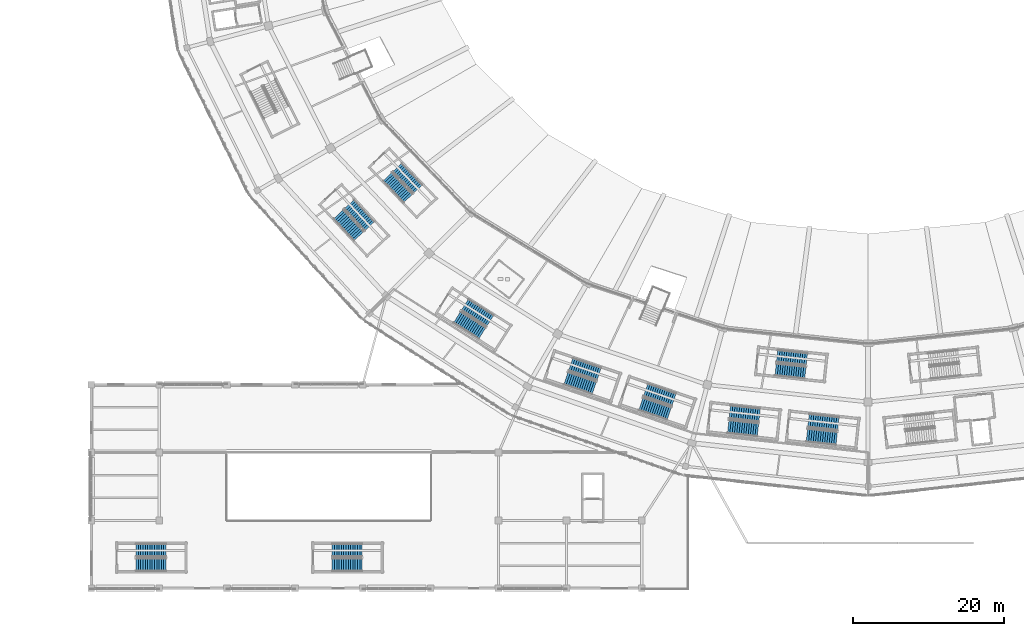
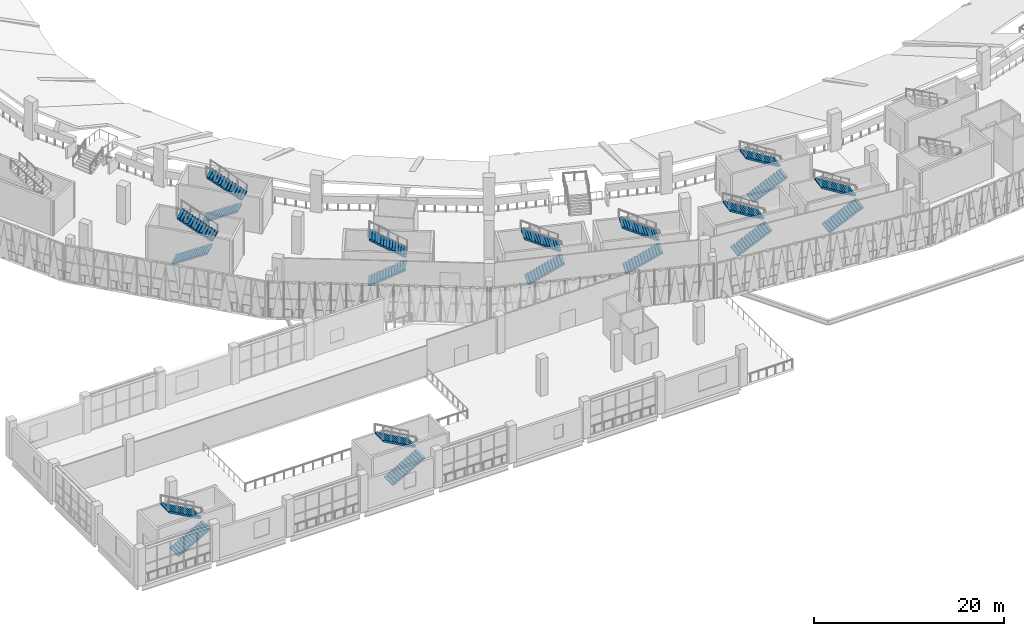
# One storey, part 113 of 183: 20 stair flights, 10 elements without a shape of their own.
"""IFC4 building model written with IfcOpenShell, lengths in metres."""

from ifc_helpers import new_model, si_unit, direction, frame, origin, place, context, subcontext, project, spatial, polyline, outline, extrude, material, type_object, element, aggregate, save


model = new_model("IFC4")

# Units and contexts
model_context = context("Model", 3, precision=1e-05, world=origin(), true_north=direction((0.0, 1.0)))
body_context = subcontext(model_context, "Body", "Model", "MODEL_VIEW")
ifc_project = project(units=[si_unit("LENGTHUNIT", "METRE"), si_unit("AREAUNIT", "SQUARE_METRE"), si_unit("VOLUMEUNIT", "CUBIC_METRE"), si_unit("PLANEANGLEUNIT", "RADIAN"), si_unit("MASSUNIT", "GRAM", prefix="KILO")], contexts=[model_context])

# Site, building, storey
site_placement = place(None, origin())
site = spatial("IfcSite", under=ifc_project, at=site_placement, CompositionType="ELEMENT")
building_placement = place(site_placement, origin())
building = spatial("IfcBuilding", under=site, at=building_placement, Name="Zevraka Park Crest Stadium", CompositionType="ELEMENT")
storey_placement = place(building_placement, frame((0.0, 0.0, 5.39990234375)))
storey = spatial("IfcBuildingStorey", under=building, at=storey_placement, Name="L01", CompositionType="ELEMENT", Elevation=5.39990234375)

# Stair, stair flights
ifc_material_1 = material(Name="Concrete C35/45", Category="concrete")
stair_type_1 = type_object("IfcStairType", Name="STA2", PredefinedType="HALF_TURN_STAIR", material=ifc_material_1)
stair_1_placement = place(storey_placement, origin())
stair_1 = element("IfcStair", 1, at=stair_1_placement, inside=storey, type_object=stair_type_1, Name="L01 Protected Concourse Exit Stair ST15", PredefinedType="HALF_TURN_STAIR")
ifc_material_2 = material(Name="Concrete C35/45", Category="concrete")
stair_flight_type_1 = type_object("IfcStairFlightType", Name="FLA2", PredefinedType="STRAIGHT", material=ifc_material_2)
stair_flight_1_placement = place(storey_placement, frame((41.787353515625, 49.603759765625, 0.0), z_axis=(0.0, 0.0, 1.0), x_axis=(0.680255347227, -0.732975212793, 0.0)))
stair_flight_1 = element("IfcStairFlight", 2, at=stair_flight_1_placement, type_object=stair_flight_type_1, Name="ST15 flight 1", NumberOfRisers=14, NumberOfTreads=13, PredefinedType="STRAIGHT", RiserHeight=0.171428571, TreadLength=0.305, context=body_context, shape_type="SweptSolid", body=[
    extrude(outline(polyline([(0.0, 0.0), (0.0, 0.17138671875), (0.304931640625, 0.17138671875), (0.304931640625, 0.3427734375), (0.610107421875, 0.3427734375), (0.610107421875, 0.514404296875), (0.9150390625, 0.514404296875), (0.9150390625, 0.685791015625), (1.219970703125, 0.685791015625), (1.219970703125, 0.857177734375), (1.52490234375, 0.857177734375), (1.52490234375, 1.028564453125), (1.830078125, 1.028564453125), (1.830078125, 1.199951171875), (2.135009765625, 1.199951171875), (2.135009765625, 1.371337890625), (2.43994140625, 1.371337890625), (2.43994140625, 1.54296875), (2.7451171875, 1.54296875), (2.7451171875, 1.71435546875), (3.050048828125, 1.71435546875), (3.050048828125, 1.8857421875), (3.35498046875, 1.8857421875), (3.35498046875, 2.05712890625), (3.659912109375, 2.05712890625), (3.659912109375, 2.228515625), (3.965087890625, 2.228515625), (3.965087890625, 2.39990234375), (3.965087890625, 2.045166015625), (0.326416015625, 0.0), (0.0, 0.0)])), frame((0.0, 0.89990234375, 0.0), z_axis=(0.0, -1.0, 0.0), x_axis=(1.0, 0.0, 0.0)), (0.0, 0.0, 1.0), 1.800048828125),
])
stair_flight_2_placement = place(storey_placement, frame((45.921142578125, 48.03076171875, 2.400146484375), z_axis=(0.0, 0.0, 1.0), x_axis=(-0.680255347227, 0.732975212793, 0.0)))
stair_flight_2 = element("IfcStairFlight", 3, at=stair_flight_2_placement, type_object=stair_flight_type_1, Name="ST15 flight 2", NumberOfRisers=14, NumberOfTreads=13, PredefinedType="STRAIGHT", RiserHeight=0.171428571, TreadLength=0.305, context=body_context, shape_type="SweptSolid", body=[
    extrude(outline(polyline([(0.0, 0.0), (0.0, 0.17138671875), (0.304931640625, 0.17138671875), (0.304931640625, 0.3427734375), (0.610107421875, 0.3427734375), (0.610107421875, 0.514404296875), (0.9150390625, 0.514404296875), (0.9150390625, 0.685791015625), (1.219970703125, 0.685791015625), (1.219970703125, 0.857177734375), (1.52490234375, 0.857177734375), (1.52490234375, 1.028564453125), (1.830078125, 1.028564453125), (1.830078125, 1.199951171875), (2.135009765625, 1.199951171875), (2.135009765625, 1.371337890625), (2.43994140625, 1.371337890625), (2.43994140625, 1.54296875), (2.7451171875, 1.54296875), (2.7451171875, 1.71435546875), (3.050048828125, 1.71435546875), (3.050048828125, 1.8857421875), (3.35498046875, 1.8857421875), (3.35498046875, 2.05712890625), (3.659912109375, 2.05712890625), (3.659912109375, 2.228515625), (3.965087890625, 2.228515625), (3.965087890625, 2.39990234375), (3.965087890625, 2.045166015625), (0.326416015625, 0.0), (0.0, 0.0)])), frame((0.0, 0.89990234375, 0.0), z_axis=(0.0, -1.0, 0.0), x_axis=(1.0, 0.0, 0.0)), (0.0, 0.0, 1.0), 1.800048828125),
])
aggregate(stair_1, [stair_flight_1, stair_flight_2])

stair_2_placement = place(storey_placement, origin())
stair_2 = element("IfcStair", 4, at=stair_2_placement, inside=storey, type_object=stair_type_1, Name="L01 Protected Concourse Exit Stair ST16", PredefinedType="HALF_TURN_STAIR")
stair_flight_3_placement = place(storey_placement, frame((57.4970703125, 35.939697265625, 0.0), z_axis=(0.0, 0.0, 1.0), x_axis=(0.844397122829, -0.535717741874, 0.0)))
stair_flight_3 = element("IfcStairFlight", 5, at=stair_flight_3_placement, type_object=stair_flight_type_1, Name="ST16 flight 1", NumberOfRisers=14, NumberOfTreads=13, PredefinedType="STRAIGHT", RiserHeight=0.171428571, TreadLength=0.305, context=body_context, shape_type="SweptSolid", body=[
    extrude(outline(polyline([(0.0, 0.0), (0.0, 0.17138671875), (0.304931640625, 0.17138671875), (0.304931640625, 0.3427734375), (0.610107421875, 0.3427734375), (0.610107421875, 0.514404296875), (0.9150390625, 0.514404296875), (0.9150390625, 0.685791015625), (1.219970703125, 0.685791015625), (1.219970703125, 0.857177734375), (1.52490234375, 0.857177734375), (1.52490234375, 1.028564453125), (1.830078125, 1.028564453125), (1.830078125, 1.199951171875), (2.135009765625, 1.199951171875), (2.135009765625, 1.371337890625), (2.43994140625, 1.371337890625), (2.43994140625, 1.54296875), (2.7451171875, 1.54296875), (2.7451171875, 1.71435546875), (3.050048828125, 1.71435546875), (3.050048828125, 1.8857421875), (3.35498046875, 1.8857421875), (3.35498046875, 2.05712890625), (3.659912109375, 2.05712890625), (3.659912109375, 2.228515625), (3.965087890625, 2.228515625), (3.965087890625, 2.39990234375), (3.965087890625, 2.045166015625), (0.326416015625, 0.0), (0.0, 0.0)])), frame((0.0, 0.89990234375, 0.0), z_axis=(0.0, -1.0, 0.0), x_axis=(1.0, 0.0, 0.0)), (0.0, 0.0, 1.0), 1.800048828125),
])
stair_flight_4_placement = place(storey_placement, frame((61.895263671875, 35.470458984375, 2.400146484375), z_axis=(0.0, 0.0, 1.0), x_axis=(-0.844397122829, 0.535717741874, 0.0)))
stair_flight_4 = element("IfcStairFlight", 6, at=stair_flight_4_placement, type_object=stair_flight_type_1, Name="ST16 flight 2", NumberOfRisers=14, NumberOfTreads=13, PredefinedType="STRAIGHT", RiserHeight=0.171428571, TreadLength=0.305, context=body_context, shape_type="SweptSolid", body=[
    extrude(outline(polyline([(0.0, 0.0), (0.0, 0.17138671875), (0.304931640625, 0.17138671875), (0.304931640625, 0.3427734375), (0.610107421875, 0.3427734375), (0.610107421875, 0.514404296875), (0.9150390625, 0.514404296875), (0.9150390625, 0.685791015625), (1.219970703125, 0.685791015625), (1.219970703125, 0.857177734375), (1.52490234375, 0.857177734375), (1.52490234375, 1.028564453125), (1.830078125, 1.028564453125), (1.830078125, 1.199951171875), (2.135009765625, 1.199951171875), (2.135009765625, 1.371337890625), (2.43994140625, 1.371337890625), (2.43994140625, 1.54296875), (2.7451171875, 1.54296875), (2.7451171875, 1.71435546875), (3.050048828125, 1.71435546875), (3.050048828125, 1.8857421875), (3.35498046875, 1.8857421875), (3.35498046875, 2.05712890625), (3.659912109375, 2.05712890625), (3.659912109375, 2.228515625), (3.965087890625, 2.228515625), (3.965087890625, 2.39990234375), (3.965087890625, 2.045166015625), (0.326416015625, 0.0), (0.0, 0.0)])), frame((0.0, 0.89990234375, 0.0), z_axis=(0.0, -1.0, 0.0), x_axis=(1.0, 0.0, 0.0)), (0.0, 0.0, 1.0), 1.800048828125),
])
aggregate(stair_2, [stair_flight_3, stair_flight_4])

stair_3_placement = place(storey_placement, origin())
stair_3 = element("IfcStair", 7, at=stair_3_placement, inside=storey, type_object=stair_type_1, Name="L01 Protected Concourse Exit Stair ST17", PredefinedType="HALF_TURN_STAIR")
stair_flight_5_placement = place(storey_placement, frame((71.942626953125, 27.845458984375, 0.0), z_axis=(0.0, 0.0, 1.0), x_axis=(0.946066135515, -0.323973559463, 0.0)))
stair_flight_5 = element("IfcStairFlight", 8, at=stair_flight_5_placement, type_object=stair_flight_type_1, Name="ST17 flight 1", NumberOfRisers=14, NumberOfTreads=13, PredefinedType="STRAIGHT", RiserHeight=0.171428571, TreadLength=0.305, context=body_context, shape_type="SweptSolid", body=[
    extrude(outline(polyline([(0.0, 0.0), (0.0, 0.17138671875), (0.304931640625, 0.17138671875), (0.304931640625, 0.3427734375), (0.610107421875, 0.3427734375), (0.610107421875, 0.514404296875), (0.9150390625, 0.514404296875), (0.9150390625, 0.685791015625), (1.219970703125, 0.685791015625), (1.219970703125, 0.857177734375), (1.52490234375, 0.857177734375), (1.52490234375, 1.028564453125), (1.830078125, 1.028564453125), (1.830078125, 1.199951171875), (2.135009765625, 1.199951171875), (2.135009765625, 1.371337890625), (2.43994140625, 1.371337890625), (2.43994140625, 1.54296875), (2.7451171875, 1.54296875), (2.7451171875, 1.71435546875), (3.050048828125, 1.71435546875), (3.050048828125, 1.8857421875), (3.35498046875, 1.8857421875), (3.35498046875, 2.05712890625), (3.659912109375, 2.05712890625), (3.659912109375, 2.228515625), (3.965087890625, 2.228515625), (3.965087890625, 2.39990234375), (3.965087890625, 2.045166015625), (0.326416015625, 0.0), (0.0, 0.0)])), frame((0.0, 0.89990234375, 0.0), z_axis=(0.0, -1.0, 0.0), x_axis=(1.0, 0.0, 0.0)), (0.0, 0.0, 1.0), 1.800048828125),
])
stair_flight_6_placement = place(storey_placement, frame((76.328857421875, 28.415283203125, 2.400146484375), z_axis=(0.0, 0.0, 1.0), x_axis=(-0.946066135515, 0.323973559463, 0.0)))
stair_flight_6 = element("IfcStairFlight", 9, at=stair_flight_6_placement, type_object=stair_flight_type_1, Name="ST17 flight 2", NumberOfRisers=14, NumberOfTreads=13, PredefinedType="STRAIGHT", RiserHeight=0.171428571, TreadLength=0.305, context=body_context, shape_type="SweptSolid", body=[
    extrude(outline(polyline([(0.0, 0.0), (0.0, 0.17138671875), (0.304931640625, 0.17138671875), (0.304931640625, 0.3427734375), (0.610107421875, 0.3427734375), (0.610107421875, 0.514404296875), (0.9150390625, 0.514404296875), (0.9150390625, 0.685791015625), (1.219970703125, 0.685791015625), (1.219970703125, 0.857177734375), (1.52490234375, 0.857177734375), (1.52490234375, 1.028564453125), (1.830078125, 1.028564453125), (1.830078125, 1.199951171875), (2.135009765625, 1.199951171875), (2.135009765625, 1.371337890625), (2.43994140625, 1.371337890625), (2.43994140625, 1.54296875), (2.7451171875, 1.54296875), (2.7451171875, 1.71435546875), (3.050048828125, 1.71435546875), (3.050048828125, 1.8857421875), (3.35498046875, 1.8857421875), (3.35498046875, 2.05712890625), (3.659912109375, 2.05712890625), (3.659912109375, 2.228515625), (3.965087890625, 2.228515625), (3.965087890625, 2.39990234375), (3.965087890625, 2.045166015625), (0.326416015625, 0.0), (0.0, 0.0)])), frame((0.0, 0.89990234375, 0.0), z_axis=(0.0, -1.0, 0.0), x_axis=(1.0, 0.0, 0.0)), (0.0, 0.0, 1.0), 1.800048828125),
])
aggregate(stair_3, [stair_flight_5, stair_flight_6])

stair_4_placement = place(storey_placement, origin())
stair_4 = element("IfcStair", 10, at=stair_4_placement, inside=storey, type_object=stair_type_1, Name="L01 Protected Concourse Exit Stair ST18", PredefinedType="HALF_TURN_STAIR")
stair_flight_7_placement = place(storey_placement, frame((93.454833984375, 21.43310546875, 0.0), z_axis=(0.0, 0.0, 1.0), x_axis=(0.994127567381, -0.108214508149, 0.0)))
stair_flight_7 = element("IfcStairFlight", 11, at=stair_flight_7_placement, type_object=stair_flight_type_1, Name="ST18 flight 1", NumberOfRisers=14, NumberOfTreads=13, PredefinedType="STRAIGHT", RiserHeight=0.171428571, TreadLength=0.305, context=body_context, shape_type="SweptSolid", body=[
    extrude(outline(polyline([(0.0, 0.0), (0.0, 0.17138671875), (0.304931640625, 0.17138671875), (0.304931640625, 0.3427734375), (0.610107421875, 0.3427734375), (0.610107421875, 0.514404296875), (0.9150390625, 0.514404296875), (0.9150390625, 0.685791015625), (1.219970703125, 0.685791015625), (1.219970703125, 0.857177734375), (1.52490234375, 0.857177734375), (1.52490234375, 1.028564453125), (1.830078125, 1.028564453125), (1.830078125, 1.199951171875), (2.135009765625, 1.199951171875), (2.135009765625, 1.371337890625), (2.43994140625, 1.371337890625), (2.43994140625, 1.54296875), (2.7451171875, 1.54296875), (2.7451171875, 1.71435546875), (3.050048828125, 1.71435546875), (3.050048828125, 1.8857421875), (3.35498046875, 1.8857421875), (3.35498046875, 2.05712890625), (3.659912109375, 2.05712890625), (3.659912109375, 2.228515625), (3.965087890625, 2.228515625), (3.965087890625, 2.39990234375), (3.965087890625, 2.045166015625), (0.326416015625, 0.0), (0.0, 0.0)])), frame((0.0, 0.89990234375, 0.0), z_axis=(0.0, -1.0, 0.0), x_axis=(1.0, 0.0, 0.0)), (0.0, 0.0, 1.0), 1.800048828125),
])
stair_flight_8_placement = place(storey_placement, frame((97.608642578125, 22.95263671875, 2.400146484375), z_axis=(0.0, 0.0, 1.0), x_axis=(-0.994127567381, 0.108214508149, 0.0)))
stair_flight_8 = element("IfcStairFlight", 12, at=stair_flight_8_placement, type_object=stair_flight_type_1, Name="ST18 flight 2", NumberOfRisers=14, NumberOfTreads=13, PredefinedType="STRAIGHT", RiserHeight=0.171428571, TreadLength=0.305, context=body_context, shape_type="SweptSolid", body=[
    extrude(outline(polyline([(0.0, 0.0), (0.0, 0.17138671875), (0.304931640625, 0.17138671875), (0.304931640625, 0.3427734375), (0.610107421875, 0.3427734375), (0.610107421875, 0.514404296875), (0.9150390625, 0.514404296875), (0.9150390625, 0.685791015625), (1.219970703125, 0.685791015625), (1.219970703125, 0.857177734375), (1.52490234375, 0.857177734375), (1.52490234375, 1.028564453125), (1.830078125, 1.028564453125), (1.830078125, 1.199951171875), (2.135009765625, 1.199951171875), (2.135009765625, 1.371337890625), (2.43994140625, 1.371337890625), (2.43994140625, 1.54296875), (2.7451171875, 1.54296875), (2.7451171875, 1.71435546875), (3.050048828125, 1.71435546875), (3.050048828125, 1.8857421875), (3.35498046875, 1.8857421875), (3.35498046875, 2.05712890625), (3.659912109375, 2.05712890625), (3.659912109375, 2.228515625), (3.965087890625, 2.228515625), (3.965087890625, 2.39990234375), (3.965087890625, 2.045166015625), (0.326416015625, 0.0), (0.0, 0.0)])), frame((0.0, 0.89990234375, 0.0), z_axis=(0.0, -1.0, 0.0), x_axis=(1.0, 0.0, 0.0)), (0.0, 0.0, 1.0), 1.800048828125),
])
aggregate(stair_4, [stair_flight_7, stair_flight_8])

stair_5_placement = place(storey_placement, origin())
stair_5 = element("IfcStair", 13, at=stair_5_placement, inside=storey, type_object=stair_type_1, Name="L01 Protected Paired Concourse Exit Stair ST29", PredefinedType="HALF_TURN_STAIR")
stair_flight_9_placement = place(storey_placement, frame((81.876708984375, 24.444580078125, 0.0), z_axis=(0.0, 0.0, 1.0), x_axis=(0.946066135515, -0.323973559463, 0.0)))
stair_flight_9 = element("IfcStairFlight", 14, at=stair_flight_9_placement, type_object=stair_flight_type_1, Name="ST29 flight 1", NumberOfRisers=14, NumberOfTreads=13, PredefinedType="STRAIGHT", RiserHeight=0.171428571, TreadLength=0.305, context=body_context, shape_type="SweptSolid", body=[
    extrude(outline(polyline([(0.0, 0.0), (0.0, 0.17138671875), (0.304931640625, 0.17138671875), (0.304931640625, 0.3427734375), (0.610107421875, 0.3427734375), (0.610107421875, 0.514404296875), (0.9150390625, 0.514404296875), (0.9150390625, 0.685791015625), (1.219970703125, 0.685791015625), (1.219970703125, 0.857177734375), (1.52490234375, 0.857177734375), (1.52490234375, 1.028564453125), (1.830078125, 1.028564453125), (1.830078125, 1.199951171875), (2.135009765625, 1.199951171875), (2.135009765625, 1.371337890625), (2.43994140625, 1.371337890625), (2.43994140625, 1.54296875), (2.7451171875, 1.54296875), (2.7451171875, 1.71435546875), (3.050048828125, 1.71435546875), (3.050048828125, 1.8857421875), (3.35498046875, 1.8857421875), (3.35498046875, 2.05712890625), (3.659912109375, 2.05712890625), (3.659912109375, 2.228515625), (3.965087890625, 2.228515625), (3.965087890625, 2.39990234375), (3.965087890625, 2.045166015625), (0.326416015625, 0.0), (0.0, 0.0)])), frame((0.0, 0.89990234375, 0.0), z_axis=(0.0, -1.0, 0.0), x_axis=(1.0, 0.0, 0.0)), (0.0, 0.0, 1.0), 1.800048828125),
])
stair_flight_10_placement = place(storey_placement, frame((86.262939453125, 25.01416015625, 2.400146484375), z_axis=(0.0, 0.0, 1.0), x_axis=(-0.946066135515, 0.323973559463, 0.0)))
stair_flight_10 = element("IfcStairFlight", 15, at=stair_flight_10_placement, type_object=stair_flight_type_1, Name="ST29 flight 2", NumberOfRisers=14, NumberOfTreads=13, PredefinedType="STRAIGHT", RiserHeight=0.171428571, TreadLength=0.305, context=body_context, shape_type="SweptSolid", body=[
    extrude(outline(polyline([(0.0, 0.0), (0.0, 0.17138671875), (0.304931640625, 0.17138671875), (0.304931640625, 0.3427734375), (0.610107421875, 0.3427734375), (0.610107421875, 0.514404296875), (0.9150390625, 0.514404296875), (0.9150390625, 0.685791015625), (1.219970703125, 0.685791015625), (1.219970703125, 0.857177734375), (1.52490234375, 0.857177734375), (1.52490234375, 1.028564453125), (1.830078125, 1.028564453125), (1.830078125, 1.199951171875), (2.135009765625, 1.199951171875), (2.135009765625, 1.371337890625), (2.43994140625, 1.371337890625), (2.43994140625, 1.54296875), (2.7451171875, 1.54296875), (2.7451171875, 1.71435546875), (3.050048828125, 1.71435546875), (3.050048828125, 1.8857421875), (3.35498046875, 1.8857421875), (3.35498046875, 2.05712890625), (3.659912109375, 2.05712890625), (3.659912109375, 2.228515625), (3.965087890625, 2.228515625), (3.965087890625, 2.39990234375), (3.965087890625, 2.045166015625), (0.326416015625, 0.0), (0.0, 0.0)])), frame((0.0, 0.89990234375, 0.0), z_axis=(0.0, -1.0, 0.0), x_axis=(1.0, 0.0, 0.0)), (0.0, 0.0, 1.0), 1.800048828125),
])
aggregate(stair_5, [stair_flight_9, stair_flight_10])

stair_6_placement = place(storey_placement, origin())
stair_6 = element("IfcStair", 16, at=stair_6_placement, inside=storey, type_object=stair_type_1, Name="L01 Protected Paired Concourse Exit Stair ST30", PredefinedType="HALF_TURN_STAIR")
stair_flight_11_placement = place(storey_placement, frame((103.892822265625, 20.297119140625, 0.0), z_axis=(0.0, 0.0, 1.0), x_axis=(0.994127567381, -0.108214508149, 0.0)))
stair_flight_11 = element("IfcStairFlight", 17, at=stair_flight_11_placement, type_object=stair_flight_type_1, Name="ST30 flight 1", NumberOfRisers=14, NumberOfTreads=13, PredefinedType="STRAIGHT", RiserHeight=0.171428571, TreadLength=0.305, context=body_context, shape_type="SweptSolid", body=[
    extrude(outline(polyline([(0.0, 0.0), (0.0, 0.17138671875), (0.304931640625, 0.17138671875), (0.304931640625, 0.3427734375), (0.610107421875, 0.3427734375), (0.610107421875, 0.514404296875), (0.9150390625, 0.514404296875), (0.9150390625, 0.685791015625), (1.219970703125, 0.685791015625), (1.219970703125, 0.857177734375), (1.52490234375, 0.857177734375), (1.52490234375, 1.028564453125), (1.830078125, 1.028564453125), (1.830078125, 1.199951171875), (2.135009765625, 1.199951171875), (2.135009765625, 1.371337890625), (2.43994140625, 1.371337890625), (2.43994140625, 1.54296875), (2.7451171875, 1.54296875), (2.7451171875, 1.71435546875), (3.050048828125, 1.71435546875), (3.050048828125, 1.8857421875), (3.35498046875, 1.8857421875), (3.35498046875, 2.05712890625), (3.659912109375, 2.05712890625), (3.659912109375, 2.228515625), (3.965087890625, 2.228515625), (3.965087890625, 2.39990234375), (3.965087890625, 2.045166015625), (0.326416015625, 0.0), (0.0, 0.0)])), frame((0.0, 0.89990234375, 0.0), z_axis=(0.0, -1.0, 0.0), x_axis=(1.0, 0.0, 0.0)), (0.0, 0.0, 1.0), 1.800048828125),
])
stair_flight_12_placement = place(storey_placement, frame((108.046630859375, 21.816650390625, 2.400146484375), z_axis=(0.0, 0.0, 1.0), x_axis=(-0.994127567381, 0.108214508149, 0.0)))
stair_flight_12 = element("IfcStairFlight", 18, at=stair_flight_12_placement, type_object=stair_flight_type_1, Name="ST30 flight 2", NumberOfRisers=14, NumberOfTreads=13, PredefinedType="STRAIGHT", RiserHeight=0.171428571, TreadLength=0.305, context=body_context, shape_type="SweptSolid", body=[
    extrude(outline(polyline([(0.0, 0.0), (0.0, 0.17138671875), (0.304931640625, 0.17138671875), (0.304931640625, 0.3427734375), (0.610107421875, 0.3427734375), (0.610107421875, 0.514404296875), (0.9150390625, 0.514404296875), (0.9150390625, 0.685791015625), (1.219970703125, 0.685791015625), (1.219970703125, 0.857177734375), (1.52490234375, 0.857177734375), (1.52490234375, 1.028564453125), (1.830078125, 1.028564453125), (1.830078125, 1.199951171875), (2.135009765625, 1.199951171875), (2.135009765625, 1.371337890625), (2.43994140625, 1.371337890625), (2.43994140625, 1.54296875), (2.7451171875, 1.54296875), (2.7451171875, 1.71435546875), (3.050048828125, 1.71435546875), (3.050048828125, 1.8857421875), (3.35498046875, 1.8857421875), (3.35498046875, 2.05712890625), (3.659912109375, 2.05712890625), (3.659912109375, 2.228515625), (3.965087890625, 2.228515625), (3.965087890625, 2.39990234375), (3.965087890625, 2.045166015625), (0.326416015625, 0.0), (0.0, 0.0)])), frame((0.0, 0.89990234375, 0.0), z_axis=(0.0, -1.0, 0.0), x_axis=(1.0, 0.0, 0.0)), (0.0, 0.0, 1.0), 1.800048828125),
])
aggregate(stair_6, [stair_flight_11, stair_flight_12])

ifc_material_3 = material(Name="Concrete C35/45", Category="concrete")
stair_type_2 = type_object("IfcStairType", Name="STB2", PredefinedType="HALF_TURN_STAIR", material=ifc_material_3)
stair_7_placement = place(storey_placement, origin())
stair_7 = element("IfcStair", 19, at=stair_7_placement, inside=storey, type_object=stair_type_2, Name="L01 Protected Concourse Relief Stair ST40", PredefinedType="HALF_TURN_STAIR")
ifc_material_4 = material(Name="Concrete C35/45", Category="concrete")
stair_flight_type_2 = type_object("IfcStairFlightType", Name="FLB2", PredefinedType="STRAIGHT", material=ifc_material_4)
stair_flight_13_placement = place(storey_placement, frame((48.282958984375, 54.58056640625, 0.0), z_axis=(0.0, 0.0, 1.0), x_axis=(0.68832672281, -0.725400801396, 0.0)))
stair_flight_13 = element("IfcStairFlight", 20, at=stair_flight_13_placement, type_object=stair_flight_type_2, Name="ST40 flight 1", NumberOfRisers=14, NumberOfTreads=13, PredefinedType="STRAIGHT", RiserHeight=0.171428571, TreadLength=0.305, context=body_context, shape_type="SweptSolid", body=[
    extrude(outline(polyline([(0.0, 0.0), (0.0, 0.17138671875), (0.304931640625, 0.17138671875), (0.304931640625, 0.3427734375), (0.610107421875, 0.3427734375), (0.610107421875, 0.514404296875), (0.9150390625, 0.514404296875), (0.9150390625, 0.685791015625), (1.219970703125, 0.685791015625), (1.219970703125, 0.857177734375), (1.52490234375, 0.857177734375), (1.52490234375, 1.028564453125), (1.830078125, 1.028564453125), (1.830078125, 1.199951171875), (2.135009765625, 1.199951171875), (2.135009765625, 1.371337890625), (2.43994140625, 1.371337890625), (2.43994140625, 1.54296875), (2.7451171875, 1.54296875), (2.7451171875, 1.71435546875), (3.050048828125, 1.71435546875), (3.050048828125, 1.8857421875), (3.35498046875, 1.8857421875), (3.35498046875, 2.05712890625), (3.659912109375, 2.05712890625), (3.659912109375, 2.228515625), (3.965087890625, 2.228515625), (3.965087890625, 2.39990234375), (3.965087890625, 2.045166015625), (0.326416015625, 0.0), (0.0, 0.0)])), frame((0.0, 0.824951171875, 0.0), z_axis=(0.0, -1.0, 0.0), x_axis=(1.0, 0.0, 0.0)), (0.0, 0.0, 1.0), 1.64990234375),
])
stair_flight_14_placement = place(storey_placement, frame((52.324951171875, 52.9501953125, 2.400146484375), z_axis=(0.0, 0.0, 1.0), x_axis=(-0.68832672281, 0.725400801396, 0.0)))
stair_flight_14 = element("IfcStairFlight", 21, at=stair_flight_14_placement, type_object=stair_flight_type_2, Name="ST40 flight 2", NumberOfRisers=14, NumberOfTreads=13, PredefinedType="STRAIGHT", RiserHeight=0.171428571, TreadLength=0.305, context=body_context, shape_type="SweptSolid", body=[
    extrude(outline(polyline([(0.0, 0.0), (0.0, 0.17138671875), (0.304931640625, 0.17138671875), (0.304931640625, 0.3427734375), (0.610107421875, 0.3427734375), (0.610107421875, 0.514404296875), (0.9150390625, 0.514404296875), (0.9150390625, 0.685791015625), (1.219970703125, 0.685791015625), (1.219970703125, 0.857177734375), (1.52490234375, 0.857177734375), (1.52490234375, 1.028564453125), (1.830078125, 1.028564453125), (1.830078125, 1.199951171875), (2.135009765625, 1.199951171875), (2.135009765625, 1.371337890625), (2.43994140625, 1.371337890625), (2.43994140625, 1.54296875), (2.7451171875, 1.54296875), (2.7451171875, 1.71435546875), (3.050048828125, 1.71435546875), (3.050048828125, 1.8857421875), (3.35498046875, 1.8857421875), (3.35498046875, 2.05712890625), (3.659912109375, 2.05712890625), (3.659912109375, 2.228515625), (3.965087890625, 2.228515625), (3.965087890625, 2.39990234375), (3.965087890625, 2.045166015625), (0.326416015625, 0.0), (0.0, 0.0)])), frame((0.0, 0.824951171875, 0.0), z_axis=(0.0, -1.0, 0.0), x_axis=(1.0, 0.0, 0.0)), (0.0, 0.0, 1.0), 1.64990234375),
])
aggregate(stair_7, [stair_flight_13, stair_flight_14])

stair_8_placement = place(storey_placement, origin())
stair_8 = element("IfcStair", 22, at=stair_8_placement, inside=storey, type_object=stair_type_2, Name="L01 Protected Concourse Relief Stair ST41", PredefinedType="HALF_TURN_STAIR")
stair_flight_15_placement = place(storey_placement, frame((99.74462890625, 28.994140625, 0.0), z_axis=(0.0, 0.0, 1.0), x_axis=(0.994381814459, -0.105852761294, 0.0)))
stair_flight_15 = element("IfcStairFlight", 23, at=stair_flight_15_placement, type_object=stair_flight_type_2, Name="ST41 flight 1", NumberOfRisers=14, NumberOfTreads=13, PredefinedType="STRAIGHT", RiserHeight=0.171428571, TreadLength=0.305, context=body_context, shape_type="SweptSolid", body=[
    extrude(outline(polyline([(0.0, 0.0), (0.0, 0.17138671875), (0.304931640625, 0.17138671875), (0.304931640625, 0.3427734375), (0.610107421875, 0.3427734375), (0.610107421875, 0.514404296875), (0.9150390625, 0.514404296875), (0.9150390625, 0.685791015625), (1.219970703125, 0.685791015625), (1.219970703125, 0.857177734375), (1.52490234375, 0.857177734375), (1.52490234375, 1.028564453125), (1.830078125, 1.028564453125), (1.830078125, 1.199951171875), (2.135009765625, 1.199951171875), (2.135009765625, 1.371337890625), (2.43994140625, 1.371337890625), (2.43994140625, 1.54296875), (2.7451171875, 1.54296875), (2.7451171875, 1.71435546875), (3.050048828125, 1.71435546875), (3.050048828125, 1.8857421875), (3.35498046875, 1.8857421875), (3.35498046875, 2.05712890625), (3.659912109375, 2.05712890625), (3.659912109375, 2.228515625), (3.965087890625, 2.228515625), (3.965087890625, 2.39990234375), (3.965087890625, 2.045166015625), (0.326416015625, 0.0), (0.0, 0.0)])), frame((0.0, 0.824951171875, 0.0), z_axis=(0.0, -1.0, 0.0), x_axis=(1.0, 0.0, 0.0)), (0.0, 0.0, 1.0), 1.64990234375),
])
stair_flight_16_placement = place(storey_placement, frame((103.87890625, 30.374267578125, 2.400146484375), z_axis=(0.0, 0.0, 1.0), x_axis=(-0.994381814459, 0.105852761294, 0.0)))
stair_flight_16 = element("IfcStairFlight", 24, at=stair_flight_16_placement, type_object=stair_flight_type_2, Name="ST41 flight 2", NumberOfRisers=14, NumberOfTreads=13, PredefinedType="STRAIGHT", RiserHeight=0.171428571, TreadLength=0.305, context=body_context, shape_type="SweptSolid", body=[
    extrude(outline(polyline([(0.0, 0.0), (0.0, 0.17138671875), (0.304931640625, 0.17138671875), (0.304931640625, 0.3427734375), (0.610107421875, 0.3427734375), (0.610107421875, 0.514404296875), (0.9150390625, 0.514404296875), (0.9150390625, 0.685791015625), (1.219970703125, 0.685791015625), (1.219970703125, 0.857177734375), (1.52490234375, 0.857177734375), (1.52490234375, 1.028564453125), (1.830078125, 1.028564453125), (1.830078125, 1.199951171875), (2.135009765625, 1.199951171875), (2.135009765625, 1.371337890625), (2.43994140625, 1.371337890625), (2.43994140625, 1.54296875), (2.7451171875, 1.54296875), (2.7451171875, 1.71435546875), (3.050048828125, 1.71435546875), (3.050048828125, 1.8857421875), (3.35498046875, 1.8857421875), (3.35498046875, 2.05712890625), (3.659912109375, 2.05712890625), (3.659912109375, 2.228515625), (3.965087890625, 2.228515625), (3.965087890625, 2.39990234375), (3.965087890625, 2.045166015625), (0.326416015625, 0.0), (0.0, 0.0)])), frame((0.0, 0.824951171875, 0.0), z_axis=(0.0, -1.0, 0.0), x_axis=(1.0, 0.0, 0.0)), (0.0, 0.0, 1.0), 1.64990234375),
])
aggregate(stair_8, [stair_flight_15, stair_flight_16])

ifc_material_5 = material(Name="Concrete C35/45", Category="concrete")
stair_type_3 = type_object("IfcStairType", Name="STC2", PredefinedType="HALF_TURN_STAIR", material=ifc_material_5)
stair_9_placement = place(storey_placement, origin())
stair_9 = element("IfcStair", 25, at=stair_9_placement, inside=storey, type_object=stair_type_3, Name="L01 South Broadcast Wing West Stair ST51", PredefinedType="HALF_TURN_STAIR")
ifc_material_6 = material(Name="Concrete C35/45", Category="concrete")
stair_flight_type_3 = type_object("IfcStairFlightType", Name="FLC2", PredefinedType="STRAIGHT", material=ifc_material_6)
stair_flight_17_placement = place(storey_placement, frame((14.949951171875, 3.125, 0.0), z_axis=(0.0, 0.0, 1.0), x_axis=(1.0, 0.0, 0.0)))
stair_flight_17 = element("IfcStairFlight", 26, at=stair_flight_17_placement, type_object=stair_flight_type_3, Name="ST51 flight 1", NumberOfRisers=14, NumberOfTreads=13, PredefinedType="STRAIGHT", RiserHeight=0.171428571, TreadLength=0.305, context=body_context, shape_type="SweptSolid", body=[
    extrude(outline(polyline([(0.0, 0.0), (0.0, 0.17138671875), (0.304931640625, 0.17138671875), (0.304931640625, 0.3427734375), (0.610107421875, 0.3427734375), (0.610107421875, 0.514404296875), (0.9150390625, 0.514404296875), (0.9150390625, 0.685791015625), (1.219970703125, 0.685791015625), (1.219970703125, 0.857177734375), (1.52490234375, 0.857177734375), (1.52490234375, 1.028564453125), (1.830078125, 1.028564453125), (1.830078125, 1.199951171875), (2.135009765625, 1.199951171875), (2.135009765625, 1.371337890625), (2.43994140625, 1.371337890625), (2.43994140625, 1.54296875), (2.7451171875, 1.54296875), (2.7451171875, 1.71435546875), (3.050048828125, 1.71435546875), (3.050048828125, 1.8857421875), (3.35498046875, 1.8857421875), (3.35498046875, 2.05712890625), (3.659912109375, 2.05712890625), (3.659912109375, 2.228515625), (3.965087890625, 2.228515625), (3.965087890625, 2.39990234375), (3.965087890625, 2.045166015625), (0.326416015625, 0.0), (0.0, 0.0)])), frame((0.0, 0.875, 0.0), z_axis=(0.0, -1.0, 0.0), x_axis=(1.0, 0.0, 0.0)), (0.0, 0.0, 1.0), 1.75),
])
stair_flight_18_placement = place(storey_placement, frame((18.9150390625, 5.034912109375, 2.400146484375), z_axis=(0.0, 0.0, 1.0), x_axis=(-1.0, 0.0, 0.0)))
stair_flight_18 = element("IfcStairFlight", 27, at=stair_flight_18_placement, type_object=stair_flight_type_3, Name="ST51 flight 2", NumberOfRisers=14, NumberOfTreads=13, PredefinedType="STRAIGHT", RiserHeight=0.171428571, TreadLength=0.305, context=body_context, shape_type="SweptSolid", body=[
    extrude(outline(polyline([(0.0, 0.0), (0.0, 0.17138671875), (0.304931640625, 0.17138671875), (0.304931640625, 0.3427734375), (0.610107421875, 0.3427734375), (0.610107421875, 0.514404296875), (0.9150390625, 0.514404296875), (0.9150390625, 0.685791015625), (1.219970703125, 0.685791015625), (1.219970703125, 0.857177734375), (1.52490234375, 0.857177734375), (1.52490234375, 1.028564453125), (1.830078125, 1.028564453125), (1.830078125, 1.199951171875), (2.135009765625, 1.199951171875), (2.135009765625, 1.371337890625), (2.43994140625, 1.371337890625), (2.43994140625, 1.54296875), (2.7451171875, 1.54296875), (2.7451171875, 1.71435546875), (3.050048828125, 1.71435546875), (3.050048828125, 1.8857421875), (3.35498046875, 1.8857421875), (3.35498046875, 2.05712890625), (3.659912109375, 2.05712890625), (3.659912109375, 2.228515625), (3.965087890625, 2.228515625), (3.965087890625, 2.39990234375), (3.965087890625, 2.045166015625), (0.326416015625, 0.0), (0.0, 0.0)])), frame((0.0, 0.875, 0.0), z_axis=(0.0, -1.0, 0.0), x_axis=(1.0, 0.0, 0.0)), (0.0, 0.0, 1.0), 1.75),
])
aggregate(stair_9, [stair_flight_17, stair_flight_18])

stair_10_placement = place(storey_placement, origin())
stair_10 = element("IfcStair", 28, at=stair_10_placement, inside=storey, type_object=stair_type_3, Name="L01 South Broadcast Wing East Stair ST52", PredefinedType="HALF_TURN_STAIR")
stair_flight_19_placement = place(storey_placement, frame((40.949951171875, 3.125, 0.0), z_axis=(0.0, 0.0, 1.0), x_axis=(1.0, 0.0, 0.0)))
stair_flight_19 = element("IfcStairFlight", 29, at=stair_flight_19_placement, type_object=stair_flight_type_3, Name="ST52 flight 1", NumberOfRisers=14, NumberOfTreads=13, PredefinedType="STRAIGHT", RiserHeight=0.171428571, TreadLength=0.305, context=body_context, shape_type="SweptSolid", body=[
    extrude(outline(polyline([(0.0, 0.0), (0.0, 0.17138671875), (0.304931640625, 0.17138671875), (0.304931640625, 0.3427734375), (0.610107421875, 0.3427734375), (0.610107421875, 0.514404296875), (0.9150390625, 0.514404296875), (0.9150390625, 0.685791015625), (1.219970703125, 0.685791015625), (1.219970703125, 0.857177734375), (1.52490234375, 0.857177734375), (1.52490234375, 1.028564453125), (1.830078125, 1.028564453125), (1.830078125, 1.199951171875), (2.135009765625, 1.199951171875), (2.135009765625, 1.371337890625), (2.43994140625, 1.371337890625), (2.43994140625, 1.54296875), (2.7451171875, 1.54296875), (2.7451171875, 1.71435546875), (3.050048828125, 1.71435546875), (3.050048828125, 1.8857421875), (3.35498046875, 1.8857421875), (3.35498046875, 2.05712890625), (3.659912109375, 2.05712890625), (3.659912109375, 2.228515625), (3.965087890625, 2.228515625), (3.965087890625, 2.39990234375), (3.965087890625, 2.045166015625), (0.326416015625, 0.0), (0.0, 0.0)])), frame((0.0, 0.875, 0.0), z_axis=(0.0, -1.0, 0.0), x_axis=(1.0, 0.0, 0.0)), (0.0, 0.0, 1.0), 1.75),
])
stair_flight_20_placement = place(storey_placement, frame((44.9150390625, 5.034912109375, 2.400146484375), z_axis=(0.0, 0.0, 1.0), x_axis=(-1.0, 0.0, 0.0)))
stair_flight_20 = element("IfcStairFlight", 30, at=stair_flight_20_placement, type_object=stair_flight_type_3, Name="ST52 flight 2", NumberOfRisers=14, NumberOfTreads=13, PredefinedType="STRAIGHT", RiserHeight=0.171428571, TreadLength=0.305, context=body_context, shape_type="SweptSolid", body=[
    extrude(outline(polyline([(0.0, 0.0), (0.0, 0.17138671875), (0.304931640625, 0.17138671875), (0.304931640625, 0.3427734375), (0.610107421875, 0.3427734375), (0.610107421875, 0.514404296875), (0.9150390625, 0.514404296875), (0.9150390625, 0.685791015625), (1.219970703125, 0.685791015625), (1.219970703125, 0.857177734375), (1.52490234375, 0.857177734375), (1.52490234375, 1.028564453125), (1.830078125, 1.028564453125), (1.830078125, 1.199951171875), (2.135009765625, 1.199951171875), (2.135009765625, 1.371337890625), (2.43994140625, 1.371337890625), (2.43994140625, 1.54296875), (2.7451171875, 1.54296875), (2.7451171875, 1.71435546875), (3.050048828125, 1.71435546875), (3.050048828125, 1.8857421875), (3.35498046875, 1.8857421875), (3.35498046875, 2.05712890625), (3.659912109375, 2.05712890625), (3.659912109375, 2.228515625), (3.965087890625, 2.228515625), (3.965087890625, 2.39990234375), (3.965087890625, 2.045166015625), (0.326416015625, 0.0), (0.0, 0.0)])), frame((0.0, 0.875, 0.0), z_axis=(0.0, -1.0, 0.0), x_axis=(1.0, 0.0, 0.0)), (0.0, 0.0, 1.0), 1.75),
])
aggregate(stair_10, [stair_flight_19, stair_flight_20])

save(model, "model.ifc")
